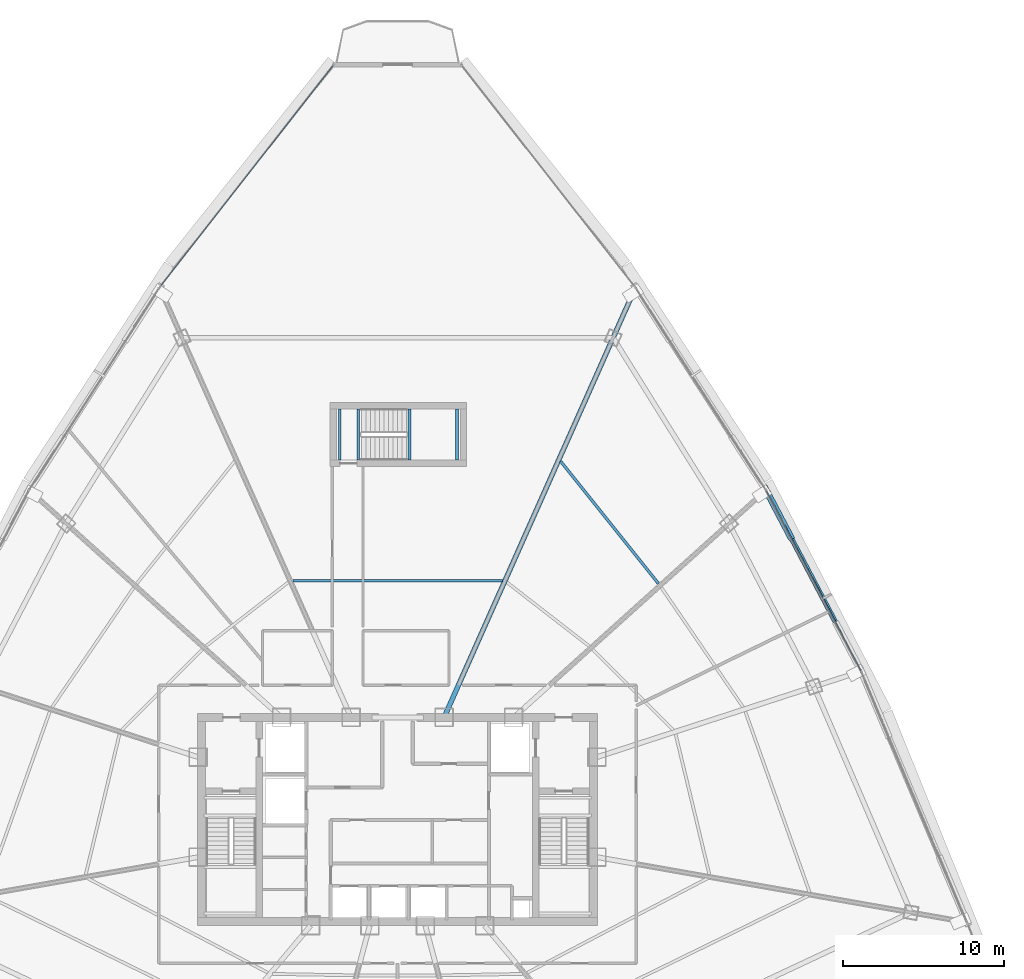
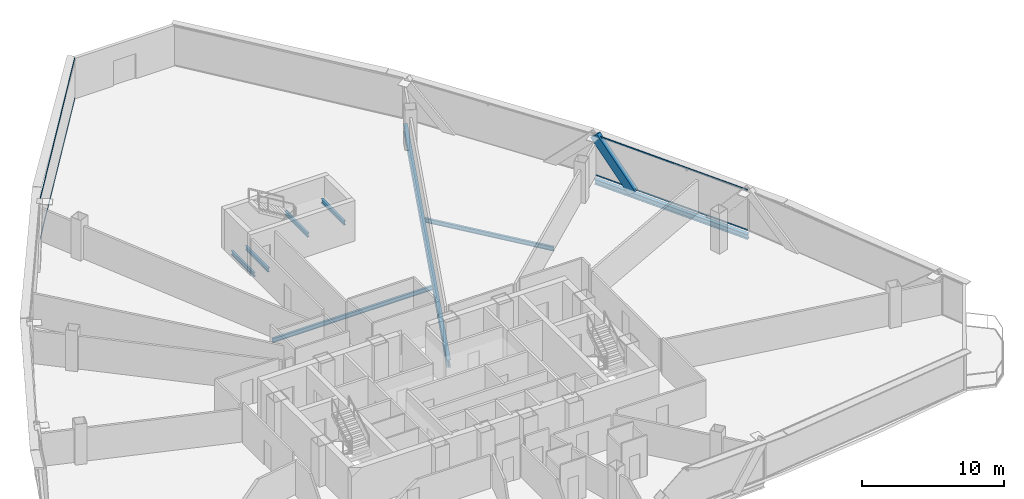
# One storey, part 17 of 35: 8 beams, 5 members, 2 elements without a shape of their own.
"""IFC4 building model written with IfcOpenShell, lengths in metres."""

from ifc_helpers import new_model, si_unit, direction, frame, origin, origin_2d, place, context, subcontext, project, spatial, hollow_rectangle, i_section, extrude, source, transform, mapped, material, layer, layer_set, material_profile, profile_set, type_object, element, aggregate, save


model = new_model("IFC4")

# Units and contexts
model_context = context("Model", 3, precision=1e-05, world=origin(), true_north=direction((0.0, 1.0)))
body_context = subcontext(model_context, "Body", "Model", "MODEL_VIEW")
ifc_project = project(units=[si_unit("LENGTHUNIT", "METRE"), si_unit("AREAUNIT", "SQUARE_METRE"), si_unit("VOLUMEUNIT", "CUBIC_METRE"), si_unit("PLANEANGLEUNIT", "RADIAN"), si_unit("MASSUNIT", "GRAM", prefix="KILO"), si_unit("THERMODYNAMICTEMPERATUREUNIT", "KELVIN"), si_unit("POWERUNIT", "WATT")], contexts=[model_context])

# Site, building, storey
site_placement = place(None, origin())
site = spatial("IfcSite", under=ifc_project, at=site_placement, CompositionType="ELEMENT")
building_placement = place(site_placement, origin())
building = spatial("IfcBuilding", under=site, at=building_placement, Name="Yunzhuo Pagoda Commons", CompositionType="ELEMENT")
storey_placement = place(building_placement, frame((0.0, 0.0, 237.070068359375)))
storey = spatial("IfcBuildingStorey", under=building, at=storey_placement, Name="L59", CompositionType="ELEMENT", Elevation=237.070068359375)

# Beams
ifc_material_1 = material(Name="Structural steel Q355B", Category="steel")
ifc_material_profile_1 = material_profile(ifc_material_1, i_section(OverallWidth=0.175048828125, OverallDepth=0.35009765625, WebThickness=0.007080078125, FlangeThickness=0.010986328125, at=origin_2d()), Name="Structural steel Q355B")
ifc_profile_set_1 = profile_set([ifc_material_profile_1], Name="Structural steel Q355B")
beam_type_1 = type_object("IfcBeamType", Name="B-JS2 Joist HN 350x175x7x11", PredefinedType="JOIST", material=ifc_profile_set_1)
shared_shape_1 = source(origin(), body_context, "Body", "SweptSolid", [
    extrude(i_section(OverallWidth=0.175048828125, OverallDepth=0.35009765625, WebThickness=0.007080078125, FlangeThickness=0.010986328125, at=origin_2d()), origin(), (0.0, 0.0, 1.0), 3.199951171875),
])
for number, where, z_axis, x_axis, name in (
    (1, (48.75, 56.199951171875, 1.489990234375), (0.0, 1.0, 0.0), (-1.0, 0.0, 0.0), "L59 ST3 landing support beam 65A"),
    (2, (51.699951171875, 56.199951171875, 1.489990234375), (0.0, 1.0, 0.0), (-1.0, 0.0, 0.0), "L59 ST3 landing support beam 65B"),
    (3, (44.39990234375, 56.199951171875, -0.375), (0.0, 1.0, 0.0), (-1.0, 0.0, 0.0), "L59 ST3 landing support beam 133A"),
    (4, (45.550048828125, 56.199951171875, -0.375), (0.0, 1.0, 0.0), (-1.0, 0.0, 0.0), "L59 ST3 landing support beam 133B"),
):
    element("IfcBeam", number, at=place(storey_placement, frame(where, z_axis=z_axis, x_axis=x_axis)), inside=storey, type_object=beam_type_1, Name=name, PredefinedType="JOIST", context=body_context, shape_type="MappedRepresentation", body=[
        mapped(shared_shape_1, transform((0.0, 0.0, 0.0), scale=1.0)),
    ])
ifc_material_profile_2 = material_profile(ifc_material_1, i_section(OverallWidth=0.300048828125, OverallDepth=0.43994140625, WebThickness=0.010986328125, FlangeThickness=0.01806640625, at=origin_2d()), Name="Structural steel Q355B")
ifc_profile_set_2 = profile_set([ifc_material_profile_2], Name="Structural steel Q355B")
beam_type_2 = type_object("IfcBeamType", Name="B-SP2 Beam HM 440x300x11x18", PredefinedType="BEAM", material=ifc_profile_set_2)
shared_shape_2 = source(origin(), body_context, "Body", "SweptSolid", [
    extrude(i_section(OverallWidth=0.300048828125, OverallDepth=0.43994140625, WebThickness=0.010986328125, FlangeThickness=0.01806640625, at=origin_2d()), origin(), (0.0, 0.0, 1.0), 12.72802734375),
])
beam_1_placement = place(storey_placement, frame((76.84423828125, 43.072265625, -0.47998046875), z_axis=(-0.465335297966, 0.88513448722, 0.0), x_axis=(-0.88513448722, -0.465335297966, 0.0)))
element("IfcBeam", 5, at=beam_1_placement, inside=storey, type_object=beam_type_2, Name="L59 facade edge spandrel beam F2.2", PredefinedType="BEAM", context=body_context, shape_type="MappedRepresentation", body=[
    mapped(shared_shape_2, transform((0.0, 0.0, 0.0), scale=1.0)),
])
ifc_material_profile_3 = material_profile(ifc_material_1, i_section(OverallWidth=0.300048828125, OverallDepth=0.64990234375, WebThickness=0.012939453125, FlangeThickness=0.02197265625, at=origin_2d()), Name="Structural steel Q355B")
ifc_profile_set_3 = profile_set([ifc_material_profile_3], Name="Structural steel Q355B")
beam_type_3 = type_object("IfcBeamType", Name="B-RG2 Beam HN 650x300x13x22", PredefinedType="BEAM", material=ifc_profile_set_3)
shared_shape_3 = source(origin(), body_context, "Body", "SweptSolid", [
    extrude(i_section(OverallWidth=0.300048828125, OverallDepth=0.64990234375, WebThickness=0.012939453125, FlangeThickness=0.02197265625, at=origin_2d()), origin(), (0.0, 0.0, 1.0), 29.12451171875),
])
beam_2_placement = place(storey_placement, frame((62.739990234375, 66.806640625, -0.5849609375), z_axis=(-0.406733373538, -0.913546913328, 0.0), x_axis=(0.913546913328, -0.406733373538, 0.0)))
element("IfcBeam", 6, at=beam_2_placement, inside=storey, type_object=beam_type_3, Name="L59 radial floor girder F2C4", PredefinedType="BEAM", context=body_context, shape_type="MappedRepresentation", body=[
    mapped(shared_shape_3, transform((0.0, 0.0, 0.0), scale=1.0)),
])
shared_shape_4 = source(origin(), body_context, "Body", "SweptSolid", [
    extrude(i_section(OverallWidth=0.175048828125, OverallDepth=0.35009765625, WebThickness=0.007080078125, FlangeThickness=0.010986328125, at=origin_2d()), origin(), (0.0, 0.0, 1.0), 9.741455078125),
])
beam_3_placement = place(storey_placement, frame((64.226806640625, 48.5244140625, -0.43505859375), z_axis=(-0.624618636222, 0.780929932378, 0.0), x_axis=(-0.780929932378, -0.624618636222, 0.0)))
element("IfcBeam", 7, at=beam_3_placement, inside=storey, type_object=beam_type_1, Name="L59 composite ring joist 2.7", PredefinedType="JOIST", context=body_context, shape_type="MappedRepresentation", body=[
    mapped(shared_shape_4, transform((0.0, 0.0, 0.0), scale=1.0)),
])
shared_shape_5 = source(origin(), body_context, "Body", "SweptSolid", [
    extrude(i_section(OverallWidth=0.175048828125, OverallDepth=0.35009765625, WebThickness=0.007080078125, FlangeThickness=0.010986328125, at=origin_2d()), origin(), (0.0, 0.0, 1.0), 13.0390625),
])
beam_4_placement = place(storey_placement, frame((54.51953125, 48.7001953125, -0.43505859375), z_axis=(-1.0, 0.0, 0.0), x_axis=(0.0, -1.0, 0.0)))
element("IfcBeam", 8, at=beam_4_placement, inside=storey, type_object=beam_type_1, Name="L59 composite ring joist 1.8", PredefinedType="JOIST", context=body_context, shape_type="MappedRepresentation", body=[
    mapped(shared_shape_5, transform((0.0, 0.0, 0.0), scale=1.0)),
])

# Member
ifc_material_profile_4 = material_profile(ifc_material_1, hollow_rectangle(XDim=0.39990234375, YDim=0.719970703125, WallThickness=0.02392578125, at=origin_2d()), Name="Structural steel Q355B")
ifc_profile_set_4 = profile_set([ifc_material_profile_4], Name="Structural steel Q355B")
member_type_1 = type_object("IfcMemberType", Name="M-DL2 Brace BOX 720x400x24", PredefinedType="BRACE", material=ifc_profile_set_4)
shared_shape_6 = source(origin(), body_context, "Body", "SweptSolid", [
    extrude(hollow_rectangle(XDim=0.39990234375, YDim=0.719970703125, WallThickness=0.02392578125, at=origin_2d()), origin(), (0.0, 0.0, 1.0), 4.90283203125),
])
member_1_placement = place(storey_placement, frame((72.402099609375, 51.52197265625, -0.260009765625), z_axis=(-0.30201396814, 0.574448991998, 0.76078638174), x_axis=(-0.885126179931, -0.465351099279, 0.0)))
element("IfcMember", 9, at=member_1_placement, inside=storey, type_object=member_type_1, Name="L59 facade diamond brace F2.2R", PredefinedType="BRACE", context=body_context, shape_type="MappedRepresentation", body=[
    mapped(shared_shape_6, transform((0.0, 0.0, 0.0), scale=1.0)),
])

# Curtain wall, members
ifc_material_2 = material(Name="Anodized aluminium 6063-T6", Category="aluminium")
ifc_layer = layer(ifc_material_2, 0.139892578125)
ifc_layer_set = layer_set([ifc_layer], Name="Anodized aluminium 6063-T6")
curtain_wall_type = type_object("IfcCurtainWallType", Name="CW-HI High-Zone Ribbon Curtain Wall", PredefinedType="NOTDEFINED", material=ifc_layer_set)
curtain_wall_1_placement = place(storey_placement, origin())
curtain_wall_1 = element("IfcCurtainWall", 10, at=curtain_wall_1_placement, inside=storey, type_object=curtain_wall_type, Name="L59 curtain wall CW-L59-F2B3", PredefinedType="NOTDEFINED")
ifc_material_profile_5 = material_profile(ifc_material_2, hollow_rectangle(XDim=0.054931640625, YDim=0.1201171875, WallThickness=0.00341796875, at=origin_2d()), Name="Anodized aluminium 6063-T6")
ifc_profile_set_5 = profile_set([ifc_material_profile_5], Name="Anodized aluminium 6063-T6")
member_type_2 = type_object("IfcMemberType", Name="CW-HI-T Transom RHS 120x55x3.5", PredefinedType="USERDEFINED", material=ifc_profile_set_5)
shared_shape_7 = source(origin(), body_context, "Body", "SweptSolid", [
    extrude(hollow_rectangle(XDim=0.054931640625, YDim=0.1201171875, WallThickness=0.00341796875, at=origin_2d()), origin(), (0.0, 0.0, 1.0), 12.6083984375),
])
member_2_placement = place(storey_placement, frame((76.81640625, 43.125244140625, 0.02734375), z_axis=(-0.465337780668, 0.885133182003, 0.0), x_axis=(-0.885133182003, -0.465337780668, 0.0)))
member_2 = element("IfcMember", 11, at=member_2_placement, type_object=member_type_2, Name="CW transom 1.1", ObjectType="TRANSOM", PredefinedType="USERDEFINED", context=body_context, shape_type="MappedRepresentation", body=[
    mapped(shared_shape_7, transform((0.0, 0.0, 0.0), scale=1.0)),
])
member_3_placement = place(storey_placement, frame((76.81640625, 43.125244140625, 3.4423828125), z_axis=(-0.465337780668, 0.885133182003, 0.0), x_axis=(-0.885133182003, -0.465337780668, 0.0)))
member_3 = element("IfcMember", 12, at=member_3_placement, type_object=member_type_2, Name="CW transom 1.2", ObjectType="TRANSOM", PredefinedType="USERDEFINED", context=body_context, shape_type="MappedRepresentation", body=[
    mapped(shared_shape_7, transform((0.0, 0.0, 0.0), scale=1.0)),
])
aggregate(curtain_wall_1, [member_2, member_3])

curtain_wall_2_placement = place(storey_placement, origin())
curtain_wall_2 = element("IfcCurtainWall", 13, at=curtain_wall_2_placement, inside=storey, type_object=curtain_wall_type, Name="L59 curtain wall CW-L59-F3B1", PredefinedType="NOTDEFINED")
shared_shape_8 = source(origin(), body_context, "Body", "SweptSolid", [
    extrude(hollow_rectangle(XDim=0.054931640625, YDim=0.1201171875, WallThickness=0.00341796875, at=origin_2d()), origin(), (0.0, 0.0, 1.0), 17.39404296875),
])
member_4_placement = place(storey_placement, frame((43.99755859375, 80.754638671875, 0.02734375), z_axis=(-0.616143998009, -0.787633527548, 0.0), x_axis=(0.787633527548, -0.616143998009, 0.0)))
member_4 = element("IfcMember", 14, at=member_4_placement, type_object=member_type_2, Name="CW transom 1.1", ObjectType="TRANSOM", PredefinedType="USERDEFINED", context=body_context, shape_type="MappedRepresentation", body=[
    mapped(shared_shape_8, transform((0.0, 0.0, 0.0), scale=1.0)),
])
member_5_placement = place(storey_placement, frame((43.99755859375, 80.754638671875, 3.4423828125), z_axis=(-0.616143998009, -0.787633527548, 0.0), x_axis=(0.787633527548, -0.616143998009, 0.0)))
member_5 = element("IfcMember", 15, at=member_5_placement, type_object=member_type_2, Name="CW transom 1.2", ObjectType="TRANSOM", PredefinedType="USERDEFINED", context=body_context, shape_type="MappedRepresentation", body=[
    mapped(shared_shape_8, transform((0.0, 0.0, 0.0), scale=1.0)),
])
aggregate(curtain_wall_2, [member_4, member_5])

save(model, "model.ifc")
